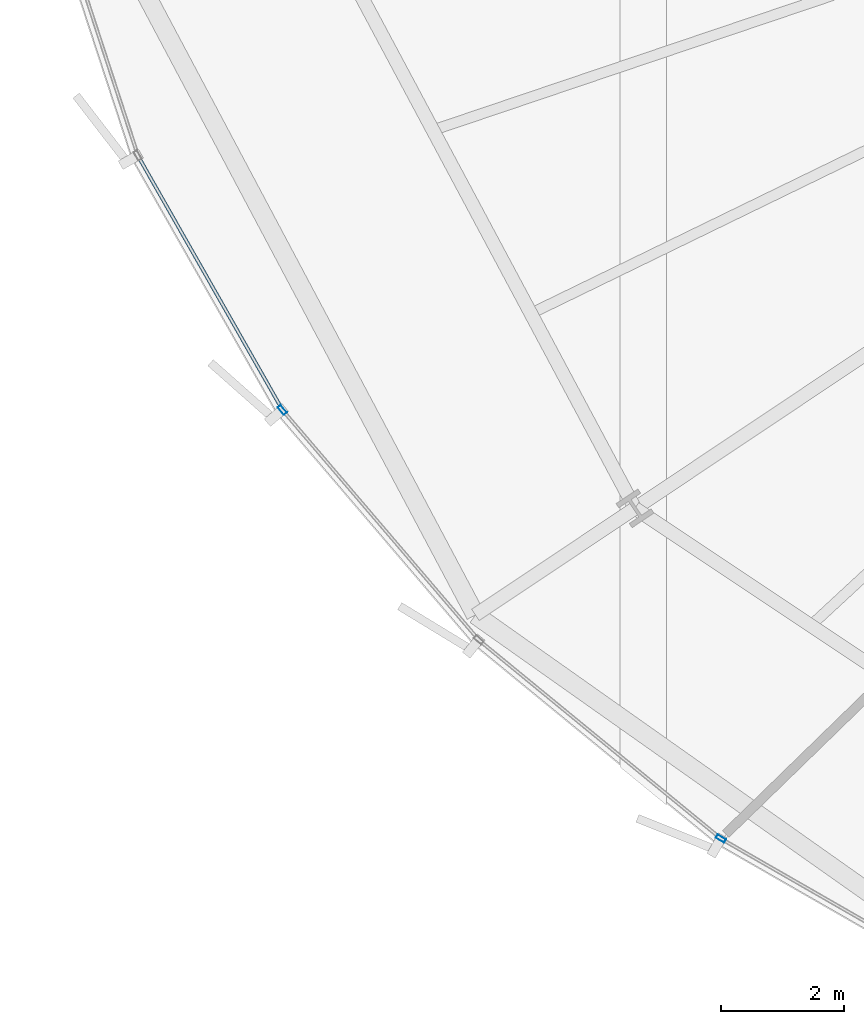
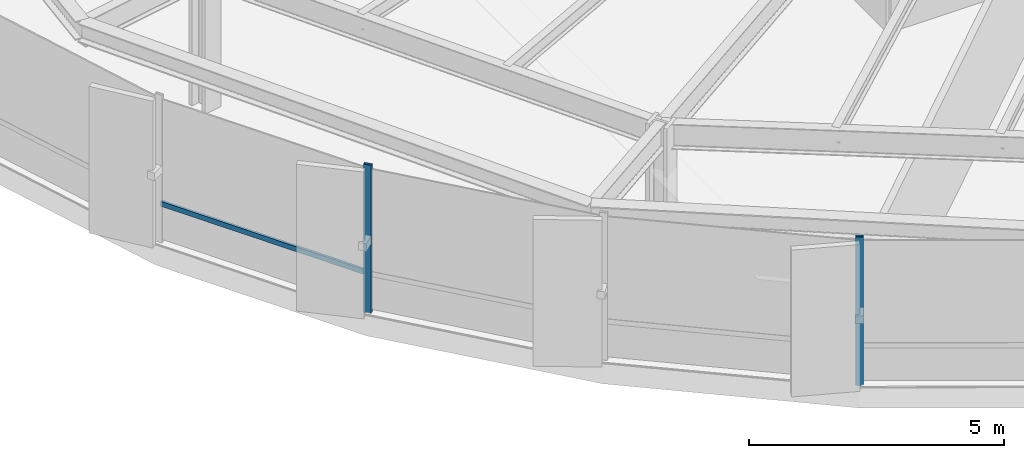
# One storey, part 2 of 38: 3 members, 1 element without a shape of its own.
"""IFC4 building model written with IfcOpenShell, lengths in metres."""

from ifc_helpers import new_model, si_unit, direction, frame, origin, origin_2d, place, context, subcontext, project, spatial, hollow_rectangle, extrude, source, transform, mapped, material, layer, layer_set, material_profile, profile_set, type_object, element, aggregate, save


model = new_model("IFC4")

# Units and contexts
model_context = context("Model", 3, precision=1e-05, world=origin(), true_north=direction((0.0, 1.0)))
body_context = subcontext(model_context, "Body", "Model", "MODEL_VIEW")
ifc_project = project(units=[si_unit("LENGTHUNIT", "METRE"), si_unit("AREAUNIT", "SQUARE_METRE"), si_unit("VOLUMEUNIT", "CUBIC_METRE"), si_unit("PLANEANGLEUNIT", "RADIAN"), si_unit("MASSUNIT", "GRAM", prefix="KILO"), si_unit("THERMODYNAMICTEMPERATUREUNIT", "KELVIN")], contexts=[model_context])

# Site, building, storey
site_placement = place(None, origin())
site = spatial("IfcSite", under=ifc_project, at=site_placement, CompositionType="ELEMENT")
building_placement = place(site_placement, origin())
building = spatial("IfcBuilding", under=site, at=building_placement, Name="Kethvar Cultural Tower", CompositionType="ELEMENT")
storey_placement = place(building_placement, frame((0.0, 0.0, 29.60009765625)))
storey = spatial("IfcBuildingStorey", under=building, at=storey_placement, Name="L06", CompositionType="ELEMENT", Elevation=29.60009765625)

# Curtain wall, members
ifc_material = material(Name="Aluminium 6063-T6", Category="aluminium")
ifc_layer = layer(ifc_material, 0.179931640625, Name="Aluminium 6063-T6", Category="aluminium")
ifc_layer_set = layer_set([ifc_layer], Name="Aluminium 6063-T6 (180 mm)")
curtain_wall_type = type_object("IfcCurtainWallType", Name="CW-SYS-02-Z1", PredefinedType="NOTDEFINED", material=ifc_layer_set)
curtain_wall_placement = place(storey_placement, origin())
curtain_wall = element("IfcCurtainWall", 1, at=curtain_wall_placement, inside=storey, type_object=curtain_wall_type, Name="L06 Curtain Wall Run 04", PredefinedType="NOTDEFINED")
ifc_material_profile_1 = material_profile(ifc_material, hollow_rectangle(XDim=0.06494140625, YDim=0.159912109375, WallThickness=0.0048828125, at=origin_2d()), Name="Aluminium 6063-T6 — RHS160x65x5")
ifc_profile_set_1 = profile_set([ifc_material_profile_1], Name="Aluminium 6063-T6 — RHS160x65x5")
member_type_1 = type_object("IfcMemberType", Name="CW-SYS-02-Z1-MUL", PredefinedType="MULLION", material=ifc_profile_set_1)
shared_shape_1 = source(origin(), body_context, "Body", "SweptSolid", [
    extrude(hollow_rectangle(XDim=0.06494140625, YDim=0.159912109375, WallThickness=0.0048828125, at=origin_2d()), origin(), (0.0, 0.0, 1.0), 3.5498046875),
])
member_1_placement = place(storey_placement, frame((19.212890625, 14.77783203125, 0.0), z_axis=(0.0, 0.0, 1.0), x_axis=(0.760371959537, 0.649487862203, 0.0)))
member_1 = element("IfcMember", 2, at=member_1_placement, type_object=member_type_1, Name="CW-L06-R04 Mullion 4", PredefinedType="MULLION", context=body_context, shape_type="MappedRepresentation", body=[
    mapped(shared_shape_1, transform((0.0, 0.0, 0.0), scale=1.0)),
])
member_2_placement = place(storey_placement, frame((26.316162109375, 7.833740234375, 0.0), z_axis=(0.0, 0.0, 1.0), x_axis=(0.497821863918, 0.867279304379, 0.0)))
member_2 = element("IfcMember", 3, at=member_2_placement, type_object=member_type_1, Name="CW-L06-R04 Mullion 6", PredefinedType="MULLION", context=body_context, shape_type="MappedRepresentation", body=[
    mapped(shared_shape_1, transform((0.0, 0.0, 0.0), scale=1.0)),
])
ifc_material_profile_2 = material_profile(ifc_material, hollow_rectangle(XDim=0.054931640625, YDim=0.1201171875, WallThickness=0.00390625, at=origin_2d()), Name="Aluminium 6063-T6 — RHS120x55x4")
ifc_profile_set_2 = profile_set([ifc_material_profile_2], Name="Aluminium 6063-T6 — RHS120x55x4")
member_type_2 = type_object("IfcMemberType", Name="CW-SYS-02-Z1-TRN", PredefinedType="USERDEFINED", material=ifc_profile_set_2)
shared_shape_2 = source(origin(), body_context, "Body", "SweptSolid", [
    extrude(hollow_rectangle(XDim=0.054931640625, YDim=0.1201171875, WallThickness=0.00390625, at=origin_2d()), origin(), (0.0, 0.0, 1.0), 4.66845703125),
])
member_3_placement = place(storey_placement, frame((16.894775390625, 18.85791015625, 0.949951171875), z_axis=(0.494414578096, -0.869226221973, 0.0), x_axis=(0.869226221973, 0.494414578096, 0.0)))
member_3 = element("IfcMember", 4, at=member_3_placement, type_object=member_type_2, Name="CW-L06-R04 Transom 3", ObjectType="TRANSOM", PredefinedType="USERDEFINED", context=body_context, shape_type="MappedRepresentation", body=[
    mapped(shared_shape_2, transform((0.0, 0.0, 0.0), scale=1.0)),
])
aggregate(curtain_wall, [member_1, member_2, member_3])

save(model, "model.ifc")
